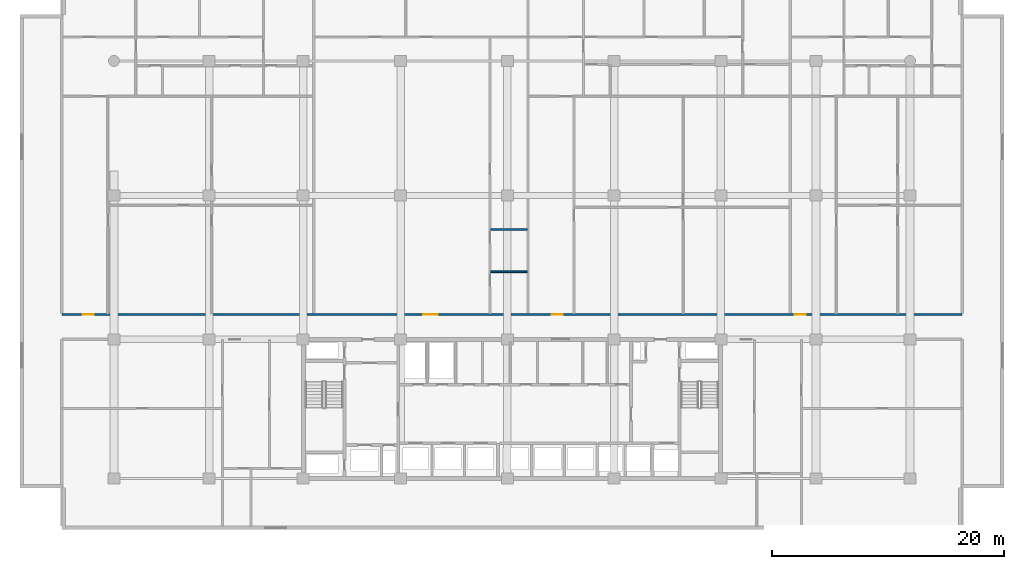
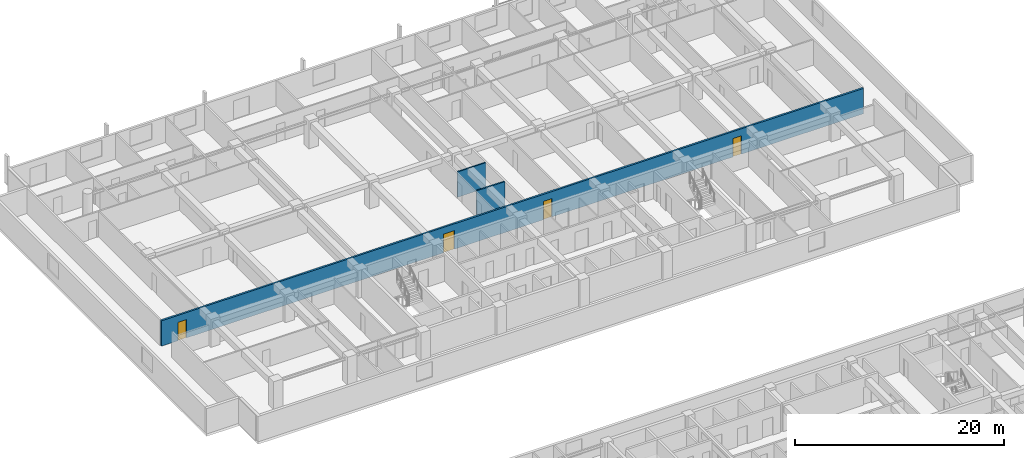
# One storey, part 13 of 23: 4 doors, 3 walls, 4 openings.
"""IFC4 building model written with IfcOpenShell, lengths in metres."""

from ifc_helpers import new_model, si_unit, direction, frame, frame_2d, origin, place, context, subcontext, project, spatial, rectangle, extrude, material, layer, layer_set, type_object, element, fill, save


model = new_model("IFC4")

# Units and contexts
model_context = context("Model", 3, precision=1e-05, world=origin(), true_north=direction((0.0, 1.0)))
body_context = subcontext(model_context, "Body", "Model", "MODEL_VIEW")
ifc_project = project(units=[si_unit("LENGTHUNIT", "METRE"), si_unit("AREAUNIT", "SQUARE_METRE"), si_unit("VOLUMEUNIT", "CUBIC_METRE"), si_unit("PLANEANGLEUNIT", "RADIAN"), si_unit("MASSUNIT", "GRAM", prefix="KILO")], contexts=[model_context])

# Site, building, storey
site_placement = place(None, origin())
site = spatial("IfcSite", under=ifc_project, at=site_placement, CompositionType="ELEMENT")
building_placement = place(site_placement, origin())
building = spatial("IfcBuilding", under=site, at=building_placement, Name="Korimba Cascade Residences", CompositionType="ELEMENT")
storey_placement = place(building_placement, frame((0.0, 0.0, 59.75)))
storey = spatial("IfcBuildingStorey", under=building, at=storey_placement, Name="L16", CompositionType="ELEMENT", Elevation=59.75)

# Wall, openings, doors
ifc_material_1 = material(Name="Precast concrete C40/50", Category="concrete")
ifc_layer_1 = layer(ifc_material_1, 0.199951171875)
ifc_layer_set_1 = layer_set([ifc_layer_1], Name="Precast concrete C40/50")
wall_type_1 = type_object("IfcWallType", Name="WAL-IT-200", PredefinedType="PARTITIONING", material=ifc_layer_set_1)
wall_placement = place(storey_placement, frame((55.300048828125, 69.35009765625, 0.0), z_axis=(0.0, 0.0, 1.0), x_axis=(1.0, 0.0, 0.0)))
wall = element("IfcWall", 1, at=wall_placement, inside=storey, type_object=wall_type_1, Name="L16 Partition Wall WAL-L16-T1-CORN", PredefinedType="PARTITIONING", context=body_context, shape_type="SweptSolid", body=[
    extrude(rectangle(XDim=77.599853515625, YDim=0.199951171875, at=frame_2d((38.7998046875, 0.0))), origin(), (0.0, 0.0, 1.0), 2.969970703125),
])
opening_1_placement = place(wall_placement, frame((1.81005859375, 0.0, 0.0)))
opening_1 = element("IfcOpeningElement", 2, at=opening_1_placement, cuts=wall, Name="Opening D-UN1", PredefinedType="OPENING", context=body_context, shape_type="SweptSolid", body=[
    extrude(rectangle(XDim=0.949951171875, YDim=2.14990234375, at=frame_2d((0.47509765625, 1.074951171875))), frame((0.0, 0.10986328125, 0.0), z_axis=(0.0, -1.0, 0.0), x_axis=(1.0, 0.0, 0.0)), (0.0, 0.0, 1.0), 0.219970703125),
])
opening_2_placement = place(wall_placement, frame((31.160888671875, 0.0, 0.0)))
opening_2 = element("IfcOpeningElement", 3, at=opening_2_placement, cuts=wall, Name="Opening D-AM1", PredefinedType="OPENING", context=body_context, shape_type="SweptSolid", body=[
    extrude(rectangle(XDim=1.219970703125, YDim=2.179931640625, at=frame_2d((0.60986328125, 1.08984375))), frame((0.0, 0.10986328125, 0.0), z_axis=(0.0, -1.0, 0.0), x_axis=(1.0, 0.0, 0.0)), (0.0, 0.0, 1.0), 0.219970703125),
])
opening_3_placement = place(wall_placement, frame((42.222412109375, 0.0, 0.0)))
opening_3 = element("IfcOpeningElement", 4, at=opening_3_placement, cuts=wall, Name="Opening D-UN1", PredefinedType="OPENING", context=body_context, shape_type="SweptSolid", body=[
    extrude(rectangle(XDim=0.949951171875, YDim=2.14990234375, at=frame_2d((0.47509765625, 1.074951171875))), frame((0.0, 0.10986328125, 0.0), z_axis=(0.0, -1.0, 0.0), x_axis=(1.0, 0.0, 0.0)), (0.0, 0.0, 1.0), 0.219970703125),
])
opening_4_placement = place(wall_placement, frame((63.153076171875, 0.0, 0.0)))
opening_4 = element("IfcOpeningElement", 5, at=opening_4_placement, cuts=wall, Name="Opening D-UN1", PredefinedType="OPENING", context=body_context, shape_type="SweptSolid", body=[
    extrude(rectangle(XDim=0.949951171875, YDim=2.14990234375, at=frame_2d((0.47509765625, 1.074951171875))), frame((0.0, 0.10986328125, 0.0), z_axis=(0.0, -1.0, 0.0), x_axis=(1.0, 0.0, 0.0)), (0.0, 0.0, 1.0), 0.219970703125),
])
ifc_material_2 = material(Name="Fire-Rated Glazed Timber Suite Door", Category="wood")
door_type_1 = type_object("IfcDoorType", Name="DR-FD60-1200", OperationType="NOTDEFINED", PredefinedType="DOOR", material=ifc_material_2)
door_1_placement = place(opening_2_placement, origin())
door_1 = element("IfcDoor", 6, at=door_1_placement, inside=storey, type_object=door_type_1, Name="L16-T1-U02 Architecture Reading Library Door", OperationType="SINGLE_SWING_RIGHT", OverallHeight=2.179931640625, OverallWidth=1.219970703125, PredefinedType="DOOR", context=body_context, shape_type="SweptSolid", body=[
    extrude(rectangle(XDim=1.219970703125, YDim=2.179931640625, at=frame_2d((0.60986328125, 1.08984375))), frame((0.0, 0.02490234375, 0.0), z_axis=(0.0, -1.0, 0.0), x_axis=(1.0, 0.0, 0.0)), (0.0, 0.0, 1.0), 0.050048828125),
])
fill(opening_2, door_1)
ifc_material_3 = material(Name="Fire-Rated Hardwood Apartment Entrance Door", Category="wood")
door_type_2 = type_object("IfcDoorType", Name="DR-FD60-950", OperationType="NOTDEFINED", PredefinedType="DOOR", material=ifc_material_3)
door_2_placement = place(opening_1_placement, origin())
door_2 = element("IfcDoor", 7, at=door_2_placement, inside=storey, type_object=door_type_2, Name="Unit L16-T1-U01 Entrance Door", OperationType="SINGLE_SWING_LEFT", OverallHeight=2.14990234375, OverallWidth=0.949951171875, PredefinedType="DOOR", context=body_context, shape_type="SweptSolid", body=[
    extrude(rectangle(XDim=0.949951171875, YDim=2.14990234375, at=frame_2d((0.47509765625, 1.074951171875))), frame((0.0, 0.02490234375, 0.0), z_axis=(0.0, -1.0, 0.0), x_axis=(1.0, 0.0, 0.0)), (0.0, 0.0, 1.0), 0.050048828125),
])
fill(opening_1, door_2)
door_3_placement = place(opening_3_placement, origin())
door_3 = element("IfcDoor", 8, at=door_3_placement, inside=storey, type_object=door_type_2, Name="Unit L16-T1-U03 Entrance Door", OperationType="SINGLE_SWING_LEFT", OverallHeight=2.14990234375, OverallWidth=0.949951171875, PredefinedType="DOOR", context=body_context, shape_type="SweptSolid", body=[
    extrude(rectangle(XDim=0.949951171875, YDim=2.14990234375, at=frame_2d((0.47509765625, 1.074951171875))), frame((0.0, 0.02490234375, 0.0), z_axis=(0.0, -1.0, 0.0), x_axis=(1.0, 0.0, 0.0)), (0.0, 0.0, 1.0), 0.050048828125),
])
fill(opening_3, door_3)
door_4_placement = place(opening_4_placement, origin())
door_4 = element("IfcDoor", 9, at=door_4_placement, inside=storey, type_object=door_type_2, Name="Unit L16-T1-U04 Entrance Door", OperationType="SINGLE_SWING_RIGHT", OverallHeight=2.14990234375, OverallWidth=0.949951171875, PredefinedType="DOOR", context=body_context, shape_type="SweptSolid", body=[
    extrude(rectangle(XDim=0.949951171875, YDim=2.14990234375, at=frame_2d((0.47509765625, 1.074951171875))), frame((0.0, 0.02490234375, 0.0), z_axis=(0.0, -1.0, 0.0), x_axis=(1.0, 0.0, 0.0)), (0.0, 0.0, 1.0), 0.050048828125),
])
fill(opening_4, door_4)

# Walls
ifc_material_4 = material(Name="Insulated Acoustic Stud Partition", Category="gypsum")
ifc_layer_2 = layer(ifc_material_4, 0.14990234375)
ifc_layer_set_2 = layer_set([ifc_layer_2], Name="Insulated Acoustic Stud Partition")
wall_type_2 = type_object("IfcWallType", Name="WAL-PART-150", PredefinedType="PARTITIONING", material=ifc_layer_set_2)
for number, where, z_axis, x_axis, name in (
    (10, (92.267333984375, 73.02001953125, 0.0), (0.0, 0.0, 1.0), (1.0, 0.0, 0.0), "L16 Partition Wall WAL-L16-T1-U02-WCH"),
    (11, (92.267333984375, 76.669921875, 0.0), (0.0, 0.0, 1.0), (1.0, 0.0, 0.0), "L16 Partition Wall WAL-L16-T1-U02-WCH2"),
):
    element("IfcWall", number, at=place(storey_placement, frame(where, z_axis=z_axis, x_axis=x_axis)), inside=storey, type_object=wall_type_2, Name=name, PredefinedType="PARTITIONING", context=body_context, shape_type="SweptSolid", body=[
        extrude(rectangle(XDim=3.1298828125, YDim=0.14990234375, at=frame_2d((1.56494140625, 0.0))), origin(), (0.0, 0.0, 1.0), 2.969970703125),
    ])

save(model, "model.ifc")
